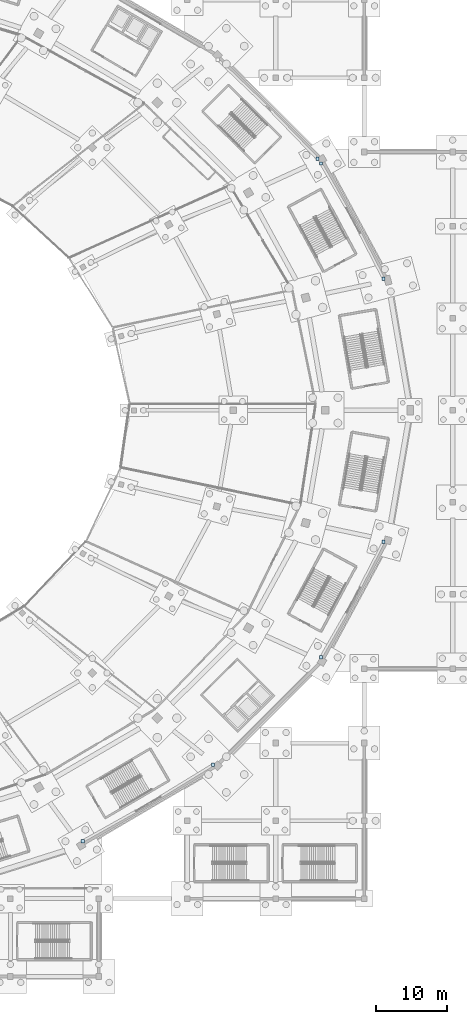
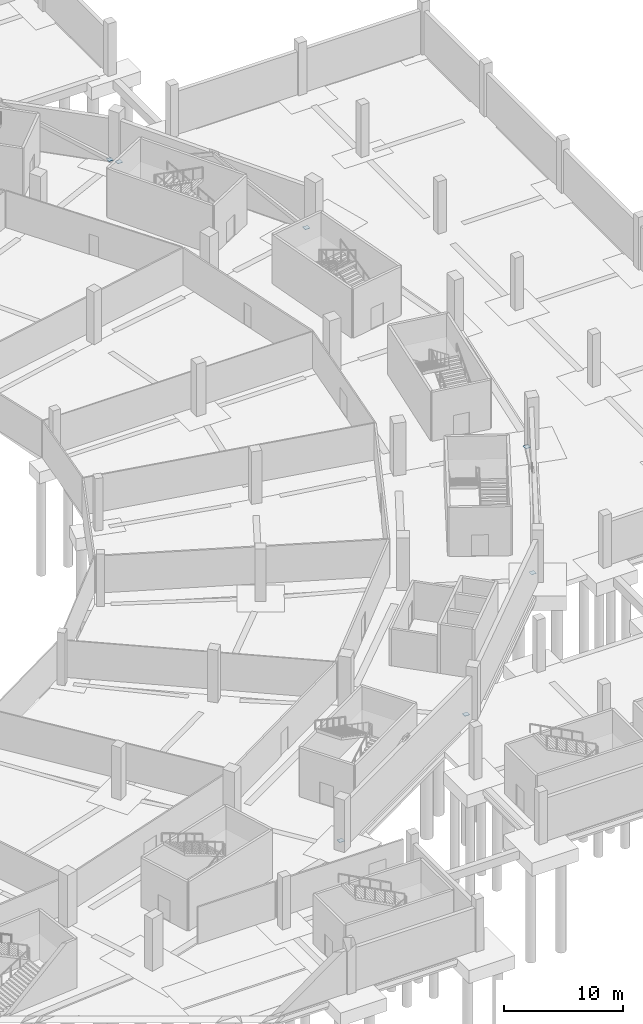
# One storey, part 29 of 74: 7 plates.
"""IFC4 building model written with IfcOpenShell, lengths in metres."""

from ifc_helpers import new_model, si_unit, direction, frame, origin, origin_2d, place, context, subcontext, project, spatial, rectangle, extrude, material, layer, layer_set, type_object, element, save


model = new_model("IFC4")

# Units and contexts
model_context = context("Model", 3, precision=1e-05, world=origin(), true_north=direction((0.0, 1.0)))
body_context = subcontext(model_context, "Body", "Model", "MODEL_VIEW")
ifc_project = project(units=[si_unit("LENGTHUNIT", "METRE"), si_unit("AREAUNIT", "SQUARE_METRE"), si_unit("VOLUMEUNIT", "CUBIC_METRE"), si_unit("PLANEANGLEUNIT", "RADIAN"), si_unit("MASSUNIT", "GRAM", prefix="KILO")], contexts=[model_context])

# Site, building, storey
site_placement = place(None, origin())
site = spatial("IfcSite", under=ifc_project, at=site_placement, CompositionType="ELEMENT")
building_placement = place(site_placement, origin())
building = spatial("IfcBuilding", under=site, at=building_placement, Name="Zlatoyarsky Gate Stadium", CompositionType="ELEMENT")
storey_placement = place(building_placement, frame((0.0, 0.0, -5.39990234375)))
storey = spatial("IfcBuildingStorey", under=building, at=storey_placement, Name="B1", CompositionType="ELEMENT", Elevation=-5.39990234375)

# Plates
ifc_material = material(Name="Steel S355", Category="steel")
ifc_layer = layer(ifc_material, 0.02392578125)
ifc_layer_set = layer_set([ifc_layer], Name="Steel S355")
plate_type = type_object("IfcPlateType", Name="STEEL HOLLOW CHORD SPLICE SHEET 24", PredefinedType="SHEET", material=ifc_layer_set)
for number, where, z_axis, x_axis, name in (
    (1, (200.23291015625, 98.597900390625, 0.337890625), (0.0, 0.0, 1.0), (1.0, 0.0, 0.0), "Node closure plate ND-SP1 NCAP-BRC-01A"),
    (2, (191.400146484375, 114.877685546875, 0.337890625), (0.0, 0.0, 1.0), (1.0, 0.0, 0.0), "Node closure plate ND-SP1 NCAP-BRC-01B"),
    (3, (190.90380859375, 115.540771484375, 0.337890625), (0.0, 0.0, 1.0), (1.0, 0.0, 0.0), "Node closure plate ND-SP1 NCAP-BRC-02A"),
    (4, (157.701904296875, 19.1171875, 0.337890625), (0.0, 0.0, 1.0), (1.0, 0.0, 0.0), "Node closure plate ND-SP1 NCAP-BRC-07A"),
    (5, (176.134521484375, 29.915283203125, 0.337890625), (0.0, 0.0, 1.0), (1.0, 0.0, 0.0), "Node closure plate ND-SP1 NCAP-BRC-07B"),
    (6, (191.400146484375, 45.122314453125, 0.337890625), (0.0, 0.0, 1.0), (1.0, 0.0, 0.0), "Node closure plate ND-SP1 NCAP-BRC-08A"),
    (7, (200.23291015625, 61.402099609375, 0.337890625), (0.0, 0.0, 1.0), (1.0, 0.0, 0.0), "Node closure plate ND-SP1 NCAP-BRC-08B"),
):
    element("IfcPlate", number, at=place(storey_placement, frame(where, z_axis=z_axis, x_axis=x_axis)), inside=storey, type_object=plate_type, Name=name, PredefinedType="SHEET", context=body_context, shape_type="SweptSolid", body=[
        extrude(rectangle(XDim=0.47998046875, YDim=0.47998046875, at=origin_2d()), origin(), (0.0, 0.0, 1.0), 0.02392578125),
    ])

save(model, "model.ifc")
